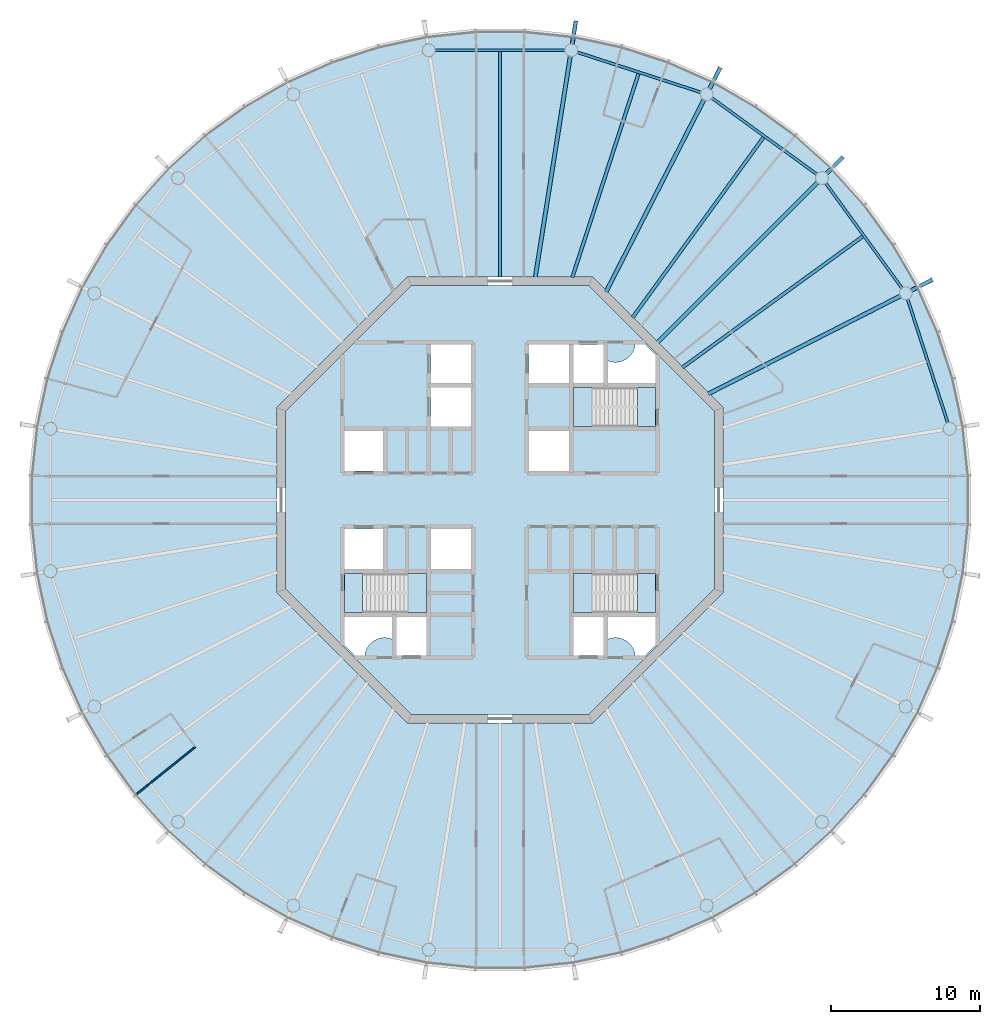
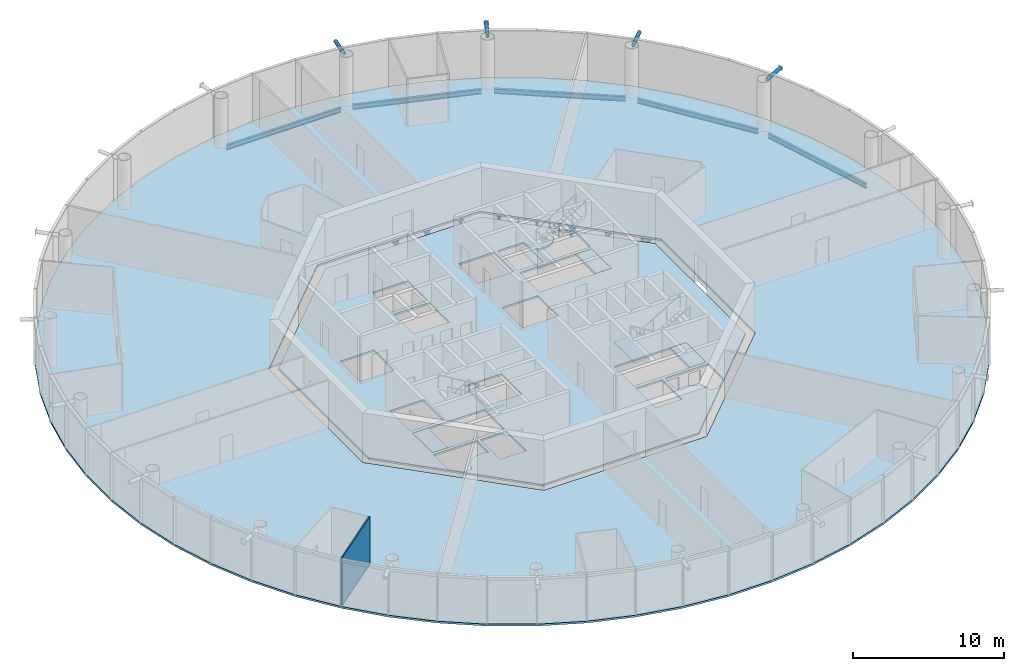
# One storey, part 2 of 18: 13 beams, 8 slabs, 4 members, 1 wall, 3 elements without a shape of their own.
"""IFC4 building model written with IfcOpenShell, lengths in metres."""

from ifc_helpers import new_model, si_unit, direction, frame, frame_2d, origin, origin_2d, place, context, subcontext, project, spatial, polyline, rectangle, circle, hollow_circle, i_section, outline, extrude, material, layer, layer_set, material_profile, profile_set, type_object, element, aggregate, save


model = new_model("IFC4")

# Units and contexts
model_context = context("Model", 3, precision=1e-05, world=origin(), true_north=direction((0.0, 1.0)))
body_context = subcontext(model_context, "Body", "Model", "MODEL_VIEW")
ifc_project = project(units=[si_unit("LENGTHUNIT", "METRE"), si_unit("AREAUNIT", "SQUARE_METRE"), si_unit("VOLUMEUNIT", "CUBIC_METRE"), si_unit("PLANEANGLEUNIT", "RADIAN"), si_unit("MASSUNIT", "GRAM", prefix="KILO")], contexts=[model_context])

# Site, building, storey
site_placement = place(None, origin())
site = spatial("IfcSite", under=ifc_project, at=site_placement, CompositionType="ELEMENT")
building_placement = place(site_placement, origin())
building = spatial("IfcBuilding", under=site, at=building_placement, Name="Entoto Ring Tower", CompositionType="ELEMENT")
storey_placement = place(building_placement, frame((0.0, 0.0, 388.0)))
storey = spatial("IfcBuildingStorey", under=building, at=storey_placement, Name="L90", CompositionType="ELEMENT", Elevation=388.0)

# Members
ifc_material_1 = material(Name="Steel S355", Category="steel")
ifc_material_profile_1 = material_profile(ifc_material_1, hollow_circle(Radius=0.136474609375, WallThickness=0.012451171875, at=origin_2d()), Name="CHS 273 x 12.5")
ifc_material_2 = material(Name="Concrete C60/75", Category="concrete")
ifc_material_profile_2 = material_profile(ifc_material_2, circle(Radius=0.1240234375, at=origin_2d()), Name="Concrete C60/75 infill")
ifc_profile_set_1 = profile_set([ifc_material_profile_1, ifc_material_profile_2], Name="Steel S355")
member_type = type_object("IfcMemberType", Name="Diagrid node strut 273 x 12.5", PredefinedType="STRUT", material=ifc_profile_set_1)
for number, where, z_axis, x_axis, name in (
    (1, (117.62890625, 94.07763671875, 3.71337890625), (0.891026618078, 0.453951061104, 0.0), (-0.453951061104, 0.891026618078, 0.0), "DS2 strut ring 28 02"),
    (2, (111.926513671875, 101.926513671875, 3.71337890625), (0.707106781187, 0.707106781187, 0.0), (-0.707106781187, 0.707106781187, 0.0), "DS2 strut ring 28 03"),
    (3, (104.07763671875, 107.62890625, 3.71337890625), (0.453951061104, 0.891026618078, 0.0), (-0.891026618078, 0.453951061104, 0.0), "DS2 strut ring 28 04"),
    (4, (94.850830078125, 110.626953125, 3.71337890625), (0.156482501672, 0.987680731143, 0.0), (-0.987680731143, 0.156482501672, 0.0), "DS2 strut ring 28 05"),
):
    element("IfcMember", number, at=place(storey_placement, frame(where, z_axis=z_axis, x_axis=x_axis)), inside=storey, type_object=member_type, Name=name, PredefinedType="STRUT", context=body_context, shape_type="SweptSolid", body=[
        extrude(hollow_circle(Radius=0.136474609375, WallThickness=0.012451171875, at=origin_2d()), origin(), (0.0, 0.0, 1.0), 1.59130859375),
    ])

# Beams
ifc_material_3 = material(Name="Steel S355", Category="steel")
ifc_material_profile_3 = material_profile(ifc_material_3, i_section(OverallWidth=0.179931640625, OverallDepth=0.39990234375, WebThickness=0.008544921875, FlangeThickness=0.013427734375, FilletRadius=0.02099609375, at=origin_2d()), Name="IPE 400")
ifc_profile_set_2 = profile_set([ifc_material_profile_3], Name="Steel S355")
beam_type_1 = type_object("IfcBeamType", Name="Edge beam IPE 400", PredefinedType="SPANDREL", material=ifc_profile_set_2)
beam_1_placement = place(storey_placement, frame((120.09326171875, 85.187255859375, -0.35009765625), z_axis=(-0.309030438368, 0.951052147972, 0.0), x_axis=(-0.951052147972, -0.309030438368, 0.0)))
element("IfcBeam", 5, at=beam_1_placement, inside=storey, type_object=beam_type_1, Name="Edge beam L90 01", PredefinedType="SPANDREL", context=body_context, shape_type="SweptSolid", body=[
    extrude(i_section(OverallWidth=0.179931640625, OverallDepth=0.39990234375, WebThickness=0.008544921875, FlangeThickness=0.013427734375, FilletRadius=0.02099609375, at=origin_2d()), origin(), (0.0, 0.0, 1.0), 8.732177734375),
])
for number, where, z_axis, x_axis, name in (
    (6, (117.017333984375, 94.232666015625, -0.35009765625), (-0.587794254874, 0.80901045354, 0.0), (-0.80901045354, -0.587794254874, 0.0), "Edge beam L90 02"),
    (7, (111.296875, 101.884765625, -0.35009765625), (-0.80901045354, 0.587794254874, 0.0), (-0.587794254874, -0.80901045354, 0.0), "Edge beam L90 03"),
):
    element("IfcBeam", number, at=place(storey_placement, frame(where, z_axis=z_axis, x_axis=x_axis)), inside=storey, type_object=beam_type_1, Name=name, PredefinedType="SPANDREL", context=body_context, shape_type="SweptSolid", body=[
        extrude(i_section(OverallWidth=0.179931640625, OverallDepth=0.39990234375, WebThickness=0.008544921875, FlangeThickness=0.013427734375, FilletRadius=0.02099609375, at=origin_2d()), origin(), (0.0, 0.0, 1.0), 8.73193359375),
    ])
beam_2_placement = place(storey_placement, frame((103.491943359375, 107.394775390625, -0.35009765625), z_axis=(-0.951052147972, 0.309030438368, 0.0), x_axis=(-0.309030438368, -0.951052147972, 0.0)))
element("IfcBeam", 8, at=beam_2_placement, inside=storey, type_object=beam_type_1, Name="Edge beam L90 04", PredefinedType="SPANDREL", context=body_context, shape_type="SweptSolid", body=[
    extrude(i_section(OverallWidth=0.179931640625, OverallDepth=0.39990234375, WebThickness=0.008544921875, FlangeThickness=0.013427734375, FilletRadius=0.02099609375, at=origin_2d()), origin(), (0.0, 0.0, 1.0), 8.732177734375),
])
beam_3_placement = place(storey_placement, frame((94.365966796875, 110.22314453125, -0.35009765625), z_axis=(-1.0, 0.0, 0.0), x_axis=(0.0, -1.0, 0.0)))
element("IfcBeam", 9, at=beam_3_placement, inside=storey, type_object=beam_type_1, Name="Edge beam L90 05", PredefinedType="SPANDREL", context=body_context, shape_type="SweptSolid", body=[
    extrude(i_section(OverallWidth=0.179931640625, OverallDepth=0.39990234375, WebThickness=0.008544921875, FlangeThickness=0.013427734375, FilletRadius=0.02099609375, at=origin_2d()), origin(), (0.0, 0.0, 1.0), 8.73193359375),
])
ifc_material_4 = material(Name="Steel S355", Category="steel")
ifc_material_profile_4 = material_profile(ifc_material_4, i_section(OverallWidth=0.262939453125, OverallDepth=0.7529296875, WebThickness=0.011474609375, FlangeThickness=0.01708984375, FilletRadius=0.01708984375, at=origin_2d()), Name="IPE 750 x 137")
ifc_profile_set_3 = profile_set([ifc_material_profile_4], Name="Steel S355")
beam_type_2 = type_object("IfcBeamType", Name="Primary floor beam IPE 750 x 137", PredefinedType="BEAM", material=ifc_profile_set_3)
beam_4_placement = place(storey_placement, frame((103.9970703125, 87.1318359375, -0.526611328125), z_axis=(0.89100578373, 0.453991952968, 0.0), x_axis=(-0.453991952968, 0.89100578373, 0.0)))
element("IfcBeam", 10, at=beam_4_placement, inside=storey, type_object=beam_type_2, Name="Primary L90 R02", PredefinedType="BEAM", context=body_context, shape_type="SweptSolid", body=[
    extrude(i_section(OverallWidth=0.262939453125, OverallDepth=0.7529296875, WebThickness=0.011474609375, FlangeThickness=0.01708984375, FilletRadius=0.01708984375, at=origin_2d()), origin(), (0.0, 0.0, 1.0), 14.48046875),
])
beam_5_placement = place(storey_placement, frame((100.592529296875, 90.592529296875, -0.526611328125), z_axis=(0.707106781187, 0.707106781187, 0.0), x_axis=(-0.707106781187, 0.707106781187, 0.0)))
element("IfcBeam", 11, at=beam_5_placement, inside=storey, type_object=beam_type_2, Name="Primary L90 R03", PredefinedType="BEAM", context=body_context, shape_type="SweptSolid", body=[
    extrude(i_section(OverallWidth=0.262939453125, OverallDepth=0.7529296875, WebThickness=0.011474609375, FlangeThickness=0.01708984375, FilletRadius=0.01708984375, at=origin_2d()), origin(), (0.0, 0.0, 1.0), 15.209716796875),
])
beam_6_placement = place(storey_placement, frame((97.1318359375, 93.9970703125, -0.526611328125), z_axis=(0.453991952968, 0.89100578373, 0.0), x_axis=(-0.89100578373, 0.453991952968, 0.0)))
element("IfcBeam", 12, at=beam_6_placement, inside=storey, type_object=beam_type_2, Name="Primary L90 R04", PredefinedType="BEAM", context=body_context, shape_type="SweptSolid", body=[
    extrude(i_section(OverallWidth=0.262939453125, OverallDepth=0.7529296875, WebThickness=0.011474609375, FlangeThickness=0.01708984375, FilletRadius=0.01708984375, at=origin_2d()), origin(), (0.0, 0.0, 1.0), 14.48046875),
])
beam_7_placement = place(storey_placement, frame((92.369384765625, 94.959716796875, -0.526611328125), z_axis=(0.156432586517, 0.987688638122, 0.0), x_axis=(-0.987688638122, 0.156432586517, 0.0)))
element("IfcBeam", 13, at=beam_7_placement, inside=storey, type_object=beam_type_2, Name="Primary L90 R05", PredefinedType="BEAM", context=body_context, shape_type="SweptSolid", body=[
    extrude(i_section(OverallWidth=0.262939453125, OverallDepth=0.7529296875, WebThickness=0.011474609375, FlangeThickness=0.01708984375, FilletRadius=0.01708984375, at=origin_2d()), origin(), (0.0, 0.0, 1.0), 15.04345703125),
])
ifc_material_5 = material(Name="Steel S355", Category="steel")
ifc_material_profile_5 = material_profile(ifc_material_5, i_section(OverallWidth=0.219970703125, OverallDepth=0.60009765625, WebThickness=0.011962890625, FlangeThickness=0.01904296875, FilletRadius=0.02392578125, at=origin_2d()), Name="IPE 600")
ifc_profile_set_4 = profile_set([ifc_material_profile_5], Name="Steel S355")
beam_type_3 = type_object("IfcBeamType", Name="Secondary floor beam IPE 600", PredefinedType="JOIST", material=ifc_profile_set_4)
for number, where, z_axis, x_axis, name in (
    (14, (102.25634765625, 88.90478515625, -0.449951171875), (0.809019238239, 0.587782163866, 0.0), (-0.587782163866, 0.809019238239, 0.0), "Secondary beam L90 02"),
    (15, (98.90478515625, 92.25634765625, -0.449951171875), (0.587782163866, 0.809019238239, 0.0), (-0.809019238239, 0.587782163866, 0.0), "Secondary beam L90 03"),
):
    element("IfcBeam", number, at=place(storey_placement, frame(where, z_axis=z_axis, x_axis=x_axis)), inside=storey, type_object=beam_type_3, Name=name, PredefinedType="JOIST", context=body_context, shape_type="SweptSolid", body=[
        extrude(i_section(OverallWidth=0.219970703125, OverallDepth=0.60009765625, WebThickness=0.011962890625, FlangeThickness=0.01904296875, FilletRadius=0.02392578125, at=origin_2d()), origin(), (0.0, 0.0, 1.0), 14.983642578125),
    ])
beam_8_placement = place(storey_placement, frame((94.856689453125, 94.947021484375, -0.449951171875), z_axis=(0.309014850288, 0.951057212949, 0.0), x_axis=(-0.951057212949, 0.309014850288, 0.0)))
element("IfcBeam", 16, at=beam_8_placement, inside=storey, type_object=beam_type_3, Name="Secondary beam L90 04", PredefinedType="JOIST", context=body_context, shape_type="SweptSolid", body=[
    extrude(i_section(OverallWidth=0.219970703125, OverallDepth=0.60009765625, WebThickness=0.011962890625, FlangeThickness=0.01904296875, FilletRadius=0.02392578125, at=origin_2d()), origin(), (0.0, 0.0, 1.0), 14.4169921875),
])
beam_9_placement = place(storey_placement, frame((90.0, 94.97998046875, -0.449951171875), z_axis=(0.0, 1.0, 0.0), x_axis=(-1.0, 0.0, 0.0)))
element("IfcBeam", 17, at=beam_9_placement, inside=storey, type_object=beam_type_3, Name="Secondary beam L90 05", PredefinedType="JOIST", context=body_context, shape_type="SweptSolid", body=[
    extrude(i_section(OverallWidth=0.219970703125, OverallDepth=0.60009765625, WebThickness=0.011962890625, FlangeThickness=0.01904296875, FilletRadius=0.02392578125, at=origin_2d()), origin(), (0.0, 0.0, 1.0), 15.1533203125),
])

# Slabs
ifc_material_6 = material(Name="Concrete C30/37", Category="concrete")
ifc_layer_1 = layer(ifc_material_6, 0.14990234375)
ifc_layer_set_1 = layer_set([ifc_layer_1], Name="Concrete C30/37")
slab_type_1 = type_object("IfcSlabType", Name="Composite floor slab 150 mm", PredefinedType="FLOOR", material=ifc_layer_set_1)
slab_1_placement = place(storey_placement, frame((0.0, 0.0, -0.14990234375)))
element("IfcSlab", 18, at=slab_1_placement, inside=storey, type_object=slab_type_1, Name="Floor slab L90", PredefinedType="FLOOR", context=body_context, shape_type="SweptSolid", body=[
    extrude(outline(polyline([(121.2109375, 84.943359375), (120.523193359375, 88.1787109375), (119.501220703125, 91.324462890625), (118.15576171875, 94.34619140625), (116.501953125, 97.210693359375), (114.557861328125, 99.886474609375), (112.344482421875, 102.344482421875), (109.886474609375, 104.557861328125), (107.210693359375, 106.501953125), (104.34619140625, 108.15576171875), (101.324462890625, 109.501220703125), (98.1787109375, 110.523193359375), (94.943359375, 111.2109375), (91.65380859375, 111.556640625), (88.34619140625, 111.556640625), (85.056640625, 111.2109375), (81.8212890625, 110.523193359375), (78.675537109375, 109.501220703125), (75.65380859375, 108.15576171875), (72.789306640625, 106.501953125), (70.113525390625, 104.557861328125), (67.655517578125, 102.344482421875), (65.442138671875, 99.886474609375), (63.498046875, 97.210693359375), (61.84423828125, 94.34619140625), (60.498779296875, 91.324462890625), (59.476806640625, 88.1787109375), (58.7890625, 84.943359375), (58.443359375, 81.65380859375), (58.443359375, 78.34619140625), (58.7890625, 75.056640625), (59.476806640625, 71.8212890625), (60.498779296875, 68.675537109375), (61.84423828125, 65.65380859375), (63.498046875, 62.789306640625), (65.442138671875, 60.113525390625), (67.655517578125, 57.655517578125), (70.113525390625, 55.442138671875), (72.789306640625, 53.498046875), (75.65380859375, 51.84423828125), (78.675537109375, 50.498779296875), (81.8212890625, 49.476806640625), (85.056640625, 48.7890625), (88.34619140625, 48.443359375), (91.65380859375, 48.443359375), (94.943359375, 48.7890625), (98.1787109375, 49.476806640625), (101.324462890625, 50.498779296875), (104.34619140625, 51.84423828125), (107.210693359375, 53.498046875), (109.886474609375, 55.442138671875), (112.344482421875, 57.655517578125), (114.557861328125, 60.113525390625), (116.501953125, 62.789306640625), (118.15576171875, 65.65380859375), (119.501220703125, 68.675537109375), (120.523193359375, 71.8212890625), (121.2109375, 75.056640625), (121.556640625, 78.34619140625), (121.556640625, 81.65380859375), (121.2109375, 84.943359375)]), holes=[polyline([(105.0, 73.786865234375), (105.0, 86.213134765625), (96.213134765625, 95.0), (83.786865234375, 95.0), (75.0, 86.213134765625), (75.0, 73.786865234375), (83.786865234375, 65.0), (96.213134765625, 65.0), (105.0, 73.786865234375)])]), origin(), (0.0, 0.0, 1.0), 0.14990234375),
])
ifc_material_7 = material(Name="Concrete C40/50", Category="concrete")
ifc_layer_2 = layer(ifc_material_7, 0.14990234375)
ifc_layer_set_2 = layer_set([ifc_layer_2], Name="Concrete C40/50")
slab_type_2 = type_object("IfcSlabType", Name="Core floor slab 150 mm reinforced concrete C40/50", PredefinedType="FLOOR", material=ifc_layer_set_2)
slab_2_placement = place(storey_placement, frame((0.0, 0.0, -0.14990234375)))
element("IfcSlab", 19, at=slab_2_placement, inside=storey, type_object=slab_type_2, Name="Core floor L90", PredefinedType="FLOOR", context=body_context, shape_type="SweptSolid", body=[
    extrude(outline(polyline([(104.39990234375, 74.035400390625), (104.39990234375, 85.964599609375), (95.964599609375, 94.39990234375), (84.035400390625, 94.39990234375), (75.60009765625, 85.964599609375), (75.60009765625, 74.035400390625), (84.035400390625, 65.60009765625), (95.964599609375, 65.60009765625), (104.39990234375, 74.035400390625)]), holes=[polyline([(100.449951171875, 84.949951171875), (100.449951171875, 87.550048828125), (94.949951171875, 87.550048828125), (94.949951171875, 84.949951171875), (100.449951171875, 84.949951171875)]), polyline([(85.050048828125, 72.449951171875), (85.050048828125, 75.050048828125), (79.550048828125, 75.050048828125), (79.550048828125, 72.449951171875), (85.050048828125, 72.449951171875)]), polyline([(100.449951171875, 72.449951171875), (100.449951171875, 75.050048828125), (94.949951171875, 75.050048828125), (94.949951171875, 72.449951171875), (100.449951171875, 72.449951171875)]), polyline([(94.949951171875, 90.449951171875), (94.949951171875, 87.85009765625), (96.949951171875, 87.85009765625), (96.949951171875, 90.449951171875), (94.949951171875, 90.449951171875)]), polyline([(94.949951171875, 72.14990234375), (94.949951171875, 69.550048828125), (96.949951171875, 69.550048828125), (96.949951171875, 72.14990234375), (94.949951171875, 72.14990234375)]), polyline([(83.050048828125, 72.14990234375), (83.050048828125, 69.550048828125), (85.050048828125, 69.550048828125), (85.050048828125, 72.14990234375), (83.050048828125, 72.14990234375)]), polyline([(79.550048828125, 81.949951171875), (82.14990234375, 81.949951171875), (82.14990234375, 84.64990234375), (79.550048828125, 84.64990234375), (79.550048828125, 81.949951171875)]), polyline([(79.550048828125, 75.35009765625), (82.14990234375, 75.35009765625), (82.14990234375, 78.050048828125), (79.550048828125, 78.050048828125), (79.550048828125, 75.35009765625)]), polyline([(91.949951171875, 87.85009765625), (94.64990234375, 87.85009765625), (94.64990234375, 90.449951171875), (91.949951171875, 90.449951171875), (91.949951171875, 87.85009765625)]), polyline([(91.949951171875, 81.949951171875), (94.64990234375, 81.949951171875), (94.64990234375, 84.64990234375), (91.949951171875, 84.64990234375), (91.949951171875, 81.949951171875)]), polyline([(85.35009765625, 75.35009765625), (88.050048828125, 75.35009765625), (88.050048828125, 78.050048828125), (85.35009765625, 78.050048828125), (85.35009765625, 75.35009765625)]), polyline([(85.35009765625, 84.949951171875), (88.050048828125, 84.949951171875), (88.050048828125, 87.550048828125), (85.35009765625, 87.550048828125), (85.35009765625, 84.949951171875)]), polyline([(85.35009765625, 87.85009765625), (88.050048828125, 87.85009765625), (88.050048828125, 90.449951171875), (85.35009765625, 90.449951171875), (85.35009765625, 87.85009765625)]), polyline([(97.199951171875, 89.368408203125), (97.199951171875, 87.800048828125), (100.5, 87.800048828125), (100.5, 89.723388671875), (99.723388671875, 90.5), (99.09521484375, 90.5), (99.093505859375, 90.4677734375), (99.07421875, 90.336669921875), (99.0419921875, 90.2080078125), (98.997314453125, 90.08349609375), (98.940673828125, 89.963623046875), (98.87255859375, 89.85009765625), (98.793701171875, 89.74365234375), (98.70458984375, 89.6455078125), (98.6064453125, 89.556396484375), (98.5, 89.4775390625), (98.386474609375, 89.409423828125), (98.2666015625, 89.352783203125), (98.141845703125, 89.30810546875), (98.013427734375, 89.27587890625), (97.88232421875, 89.256591796875), (97.75, 89.25), (97.61767578125, 89.256591796875), (97.486572265625, 89.27587890625), (97.358154296875, 89.30810546875), (97.2333984375, 89.352783203125), (97.199951171875, 89.368408203125)]), polyline([(80.276611328125, 69.5), (80.90478515625, 69.5), (80.906494140625, 69.5322265625), (80.92578125, 69.663330078125), (80.9580078125, 69.7919921875), (81.002685546875, 69.91650390625), (81.059326171875, 70.036376953125), (81.12744140625, 70.14990234375), (81.206298828125, 70.25634765625), (81.29541015625, 70.3544921875), (81.3935546875, 70.443603515625), (81.5, 70.5224609375), (81.613525390625, 70.590576171875), (81.7333984375, 70.647216796875), (81.858154296875, 70.69189453125), (81.986572265625, 70.72412109375), (82.11767578125, 70.743408203125), (82.25, 70.75), (82.38232421875, 70.743408203125), (82.513427734375, 70.72412109375), (82.641845703125, 70.69189453125), (82.7666015625, 70.647216796875), (82.800048828125, 70.631591796875), (82.800048828125, 72.199951171875), (79.5, 72.199951171875), (79.5, 70.276611328125), (80.276611328125, 69.5)]), polyline([(99.09521484375, 69.5), (99.723388671875, 69.5), (100.5, 70.276611328125), (100.5, 72.199951171875), (97.199951171875, 72.199951171875), (97.199951171875, 70.631591796875), (97.2333984375, 70.647216796875), (97.358154296875, 70.69189453125), (97.486572265625, 70.72412109375), (97.61767578125, 70.743408203125), (97.75, 70.75), (97.88232421875, 70.743408203125), (98.013427734375, 70.72412109375), (98.141845703125, 70.69189453125), (98.2666015625, 70.647216796875), (98.386474609375, 70.590576171875), (98.5, 70.5224609375), (98.6064453125, 70.443603515625), (98.70458984375, 70.3544921875), (98.793701171875, 70.25634765625), (98.87255859375, 70.14990234375), (98.940673828125, 70.036376953125), (98.997314453125, 69.91650390625), (99.0419921875, 69.7919921875), (99.07421875, 69.663330078125), (99.093505859375, 69.5322265625), (99.09521484375, 69.5)])]), origin(), (0.0, 0.0, 1.0), 0.14990234375),
])

# Stair, slabs
ifc_material_8 = material(Name="Concrete C40/50", Category="concrete")
stair_type = type_object("IfcStairType", Name="Exit stair 1200 mm dog-leg reinforced concrete", PredefinedType="HALF_TURN_STAIR", material=ifc_material_8)
stair_1_placement = place(storey_placement, origin())
stair_1 = element("IfcStair", 20, at=stair_1_placement, inside=storey, type_object=stair_type, Name="Exit stair 1", PredefinedType="HALF_TURN_STAIR")
ifc_material_9 = material(Name="Concrete C40/50", Category="concrete")
ifc_layer_3 = layer(ifc_material_9, 0.199951171875)
ifc_layer_set_3 = layer_set([ifc_layer_3], Name="Concrete C40/50")
slab_type_3 = type_object("IfcSlabType", Name="Stair landing 200 mm reinforced concrete", PredefinedType="LANDING", material=ifc_layer_set_3)
slab_3_placement = place(storey_placement, frame((0.0, 0.0, -0.199951171875)))
slab_3 = element("IfcSlab", 21, at=slab_3_placement, type_object=slab_type_3, Name="ST1 landing 1", PredefinedType="LANDING", context=body_context, shape_type="SweptSolid", body=[
    extrude(outline(polyline([(100.449951171875, 84.949951171875), (100.449951171875, 87.550048828125), (99.25, 87.550048828125), (99.25, 84.949951171875), (100.449951171875, 84.949951171875)])), origin(), (0.0, 0.0, 1.0), 0.199951171875),
])
slab_4_placement = place(storey_placement, frame((0.0, 0.0, 1.800048828125)))
slab_4 = element("IfcSlab", 22, at=slab_4_placement, type_object=slab_type_3, Name="ST1 landing 2", PredefinedType="LANDING", context=body_context, shape_type="SweptSolid", body=[
    extrude(outline(polyline([(94.949951171875, 84.949951171875), (96.169921875, 84.949951171875), (96.169921875, 87.550048828125), (94.949951171875, 87.550048828125), (94.949951171875, 84.949951171875)])), origin(), (0.0, 0.0, 1.0), 0.199951171875),
])
aggregate(stair_1, [slab_3, slab_4])

stair_2_placement = place(storey_placement, origin())
stair_2 = element("IfcStair", 23, at=stair_2_placement, inside=storey, type_object=stair_type, Name="Exit stair 2", PredefinedType="HALF_TURN_STAIR")
slab_5_placement = place(storey_placement, frame((0.0, 0.0, -0.199951171875)))
slab_5 = element("IfcSlab", 24, at=slab_5_placement, type_object=slab_type_3, Name="ST2 landing 1", PredefinedType="LANDING", context=body_context, shape_type="SweptSolid", body=[
    extrude(outline(polyline([(80.75, 72.449951171875), (80.75, 75.050048828125), (79.550048828125, 75.050048828125), (79.550048828125, 72.449951171875), (80.75, 72.449951171875)])), origin(), (0.0, 0.0, 1.0), 0.199951171875),
])
slab_6_placement = place(storey_placement, frame((0.0, 0.0, 1.800048828125)))
slab_6 = element("IfcSlab", 25, at=slab_6_placement, type_object=slab_type_3, Name="ST2 landing 2", PredefinedType="LANDING", context=body_context, shape_type="SweptSolid", body=[
    extrude(outline(polyline([(83.830078125, 72.449951171875), (85.050048828125, 72.449951171875), (85.050048828125, 75.050048828125), (83.830078125, 75.050048828125), (83.830078125, 72.449951171875)])), origin(), (0.0, 0.0, 1.0), 0.199951171875),
])
aggregate(stair_2, [slab_5, slab_6])

stair_3_placement = place(storey_placement, origin())
stair_3 = element("IfcStair", 26, at=stair_3_placement, inside=storey, type_object=stair_type, Name="Exit stair 3", PredefinedType="HALF_TURN_STAIR")
slab_7_placement = place(storey_placement, frame((0.0, 0.0, -0.199951171875)))
slab_7 = element("IfcSlab", 27, at=slab_7_placement, type_object=slab_type_3, Name="ST3 landing 1", PredefinedType="LANDING", context=body_context, shape_type="SweptSolid", body=[
    extrude(outline(polyline([(100.449951171875, 72.449951171875), (100.449951171875, 75.050048828125), (99.25, 75.050048828125), (99.25, 72.449951171875), (100.449951171875, 72.449951171875)])), origin(), (0.0, 0.0, 1.0), 0.199951171875),
])
slab_8_placement = place(storey_placement, frame((0.0, 0.0, 1.800048828125)))
slab_8 = element("IfcSlab", 28, at=slab_8_placement, type_object=slab_type_3, Name="ST3 landing 2", PredefinedType="LANDING", context=body_context, shape_type="SweptSolid", body=[
    extrude(outline(polyline([(94.949951171875, 72.449951171875), (96.169921875, 72.449951171875), (96.169921875, 75.050048828125), (94.949951171875, 75.050048828125), (94.949951171875, 72.449951171875)])), origin(), (0.0, 0.0, 1.0), 0.199951171875),
])
aggregate(stair_3, [slab_7, slab_8])

# Wall
ifc_material_10 = material(Name="Plasterboard on steel studs", Category="steel")
ifc_layer_4 = layer(ifc_material_10, 0.10009765625)
ifc_layer_set_4 = layer_set([ifc_layer_4], Name="Plasterboard on steel studs")
wall_type = type_object("IfcWallType", Name="Partition 100 mm plasterboard on steel studs", PredefinedType="PARTITIONING", material=ifc_layer_set_4)
wall_placement = place(storey_placement, frame((65.56640625, 60.214111328125, 0.0), z_axis=(0.0, 0.0, 1.0), x_axis=(0.777148422764, 0.629317351577, 0.0)))
element("IfcWall", 29, at=wall_placement, inside=storey, type_object=wall_type, Name="partition-L90-026", PredefinedType="PARTITIONING", context=body_context, shape_type="SweptSolid", body=[
    extrude(rectangle(XDim=5.070068359375, YDim=0.10009765625, at=frame_2d((2.53515625, 0.0))), origin(), (0.0, 0.0, 1.0), 3.85009765625),
])

save(model, "model.ifc")
